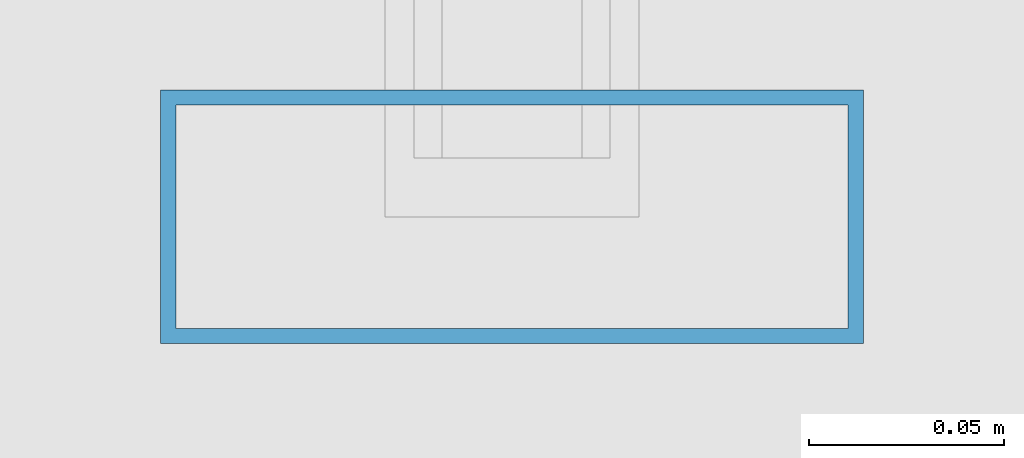
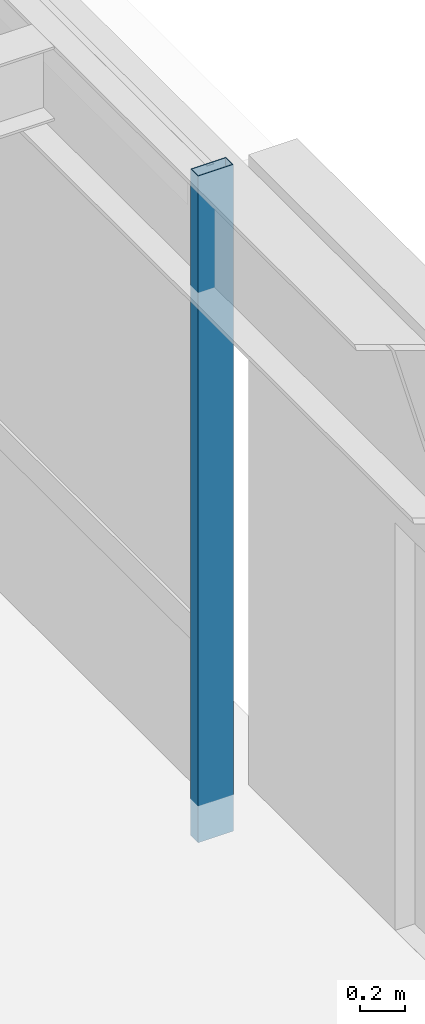
# One storey, part 16 of 34: 1 member, 1 element without a shape of its own.
"""IFC4 building model written with IfcOpenShell, lengths in metres."""

from ifc_helpers import new_model, si_unit, direction, frame, origin, origin_2d, place, context, subcontext, project, spatial, hollow_rectangle, extrude, material, layer, layer_set, material_profile, profile_set, type_object, element, aggregate, save


model = new_model("IFC4")

# Units and contexts
model_context = context("Model", 3, precision=1e-05, world=origin(), true_north=direction((0.0, 1.0)))
body_context = subcontext(model_context, "Body", "Model", "MODEL_VIEW")
ifc_project = project(units=[si_unit("LENGTHUNIT", "METRE"), si_unit("AREAUNIT", "SQUARE_METRE"), si_unit("VOLUMEUNIT", "CUBIC_METRE"), si_unit("PLANEANGLEUNIT", "RADIAN"), si_unit("MASSUNIT", "GRAM", prefix="KILO")], contexts=[model_context])

# Site, building, storey
site_placement = place(None, origin())
site = spatial("IfcSite", under=ifc_project, at=site_placement, CompositionType="ELEMENT")
building_placement = place(site_placement, origin())
building = spatial("IfcBuilding", under=site, at=building_placement, Name="Brelmoor Portico Tower", CompositionType="ELEMENT")
storey_placement = place(building_placement, frame((0.0, 0.0, 99.0)))
storey = spatial("IfcBuildingStorey", under=building, at=storey_placement, Name="L25", CompositionType="ELEMENT", Elevation=99.0)

# Curtain wall, member
ifc_material = material(Name="Anodised Aluminium Alloy 6063-T6", Category="aluminium")
ifc_layer = layer(ifc_material, 0.179931640625)
ifc_layer_set = layer_set([ifc_layer], Name="Anodised Aluminium Alloy 6063-T6")
curtain_wall_type = type_object("IfcCurtainWallType", Name="CW-TOWER-Z2", PredefinedType="NOTDEFINED", material=ifc_layer_set)
curtain_wall_placement = place(storey_placement, origin())
curtain_wall = element("IfcCurtainWall", 1, at=curtain_wall_placement, inside=storey, type_object=curtain_wall_type, Name="L25 Curtain Wall CW-L25-4R-1", PredefinedType="NOTDEFINED")
ifc_material_profile = material_profile(ifc_material, hollow_rectangle(XDim=0.06494140625, YDim=0.179931640625, WallThickness=0.00390625, at=origin_2d()), Name="ALU MULLION 65x180")
ifc_profile_set = profile_set([ifc_material_profile], Name="Anodised Aluminium Alloy 6063-T6")
member_type = type_object("IfcMemberType", Name="MB-CW-MULL-180", PredefinedType="MULLION", material=ifc_profile_set)
member_placement = place(storey_placement, frame((22.550048828125, -4.5, -0.199951171875), z_axis=(0.0, 0.0, 1.0), x_axis=(0.0, 1.0, 0.0)))
member = element("IfcMember", 2, at=member_placement, type_object=member_type, Name="CW-L25-4R-1 Mullion 00", PredefinedType="MULLION", context=body_context, shape_type="SweptSolid", body=[
    extrude(hollow_rectangle(XDim=0.06494140625, YDim=0.179931640625, WallThickness=0.00390625, at=origin_2d()), origin(), (0.0, 0.0, 1.0), 3.599853515625),
])
aggregate(curtain_wall, [member])

save(model, "model.ifc")
